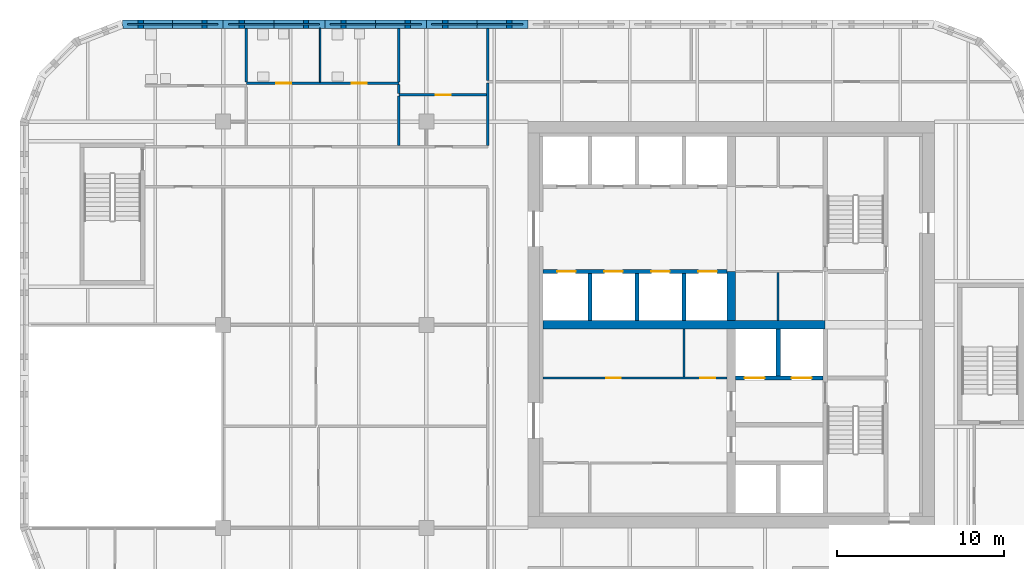
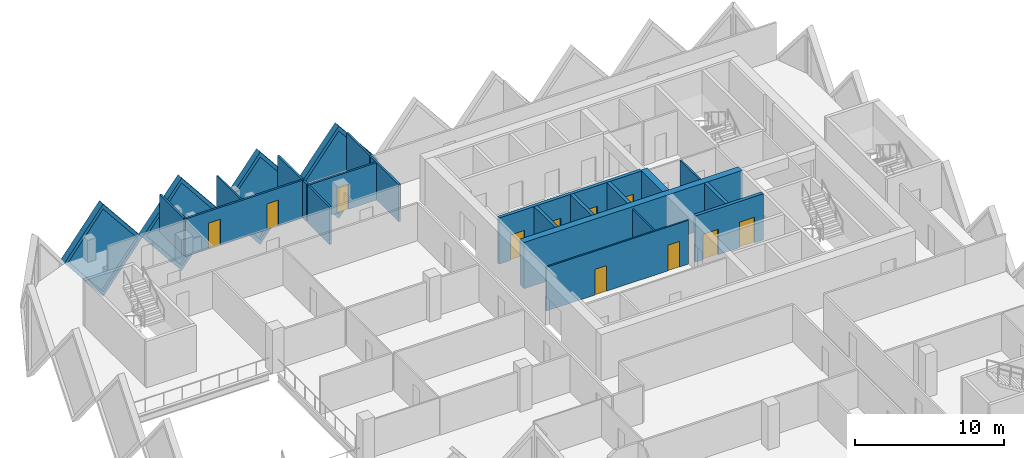
# One storey, part 8 of 13: 24 walls, 11 doors, 4 plates, 15 openings.
"""IFC4 building model written with IfcOpenShell, lengths in metres."""

from ifc_helpers import new_model, si_unit, direction, frame, frame_2d, origin, place, context, subcontext, project, spatial, polyline, rectangle, outline, extrude, faceted_brep, source, transform, mapped, material, layer, layer_set, type_object, element, fill, save


model = new_model("IFC4")

# Units and contexts
model_context = context("Model", 3, precision=1e-05, world=origin(), true_north=direction((0.0, 1.0)))
body_context = subcontext(model_context, "Body", "Model", "MODEL_VIEW")
ifc_project = project(units=[si_unit("LENGTHUNIT", "METRE"), si_unit("AREAUNIT", "SQUARE_METRE"), si_unit("VOLUMEUNIT", "CUBIC_METRE"), si_unit("PLANEANGLEUNIT", "RADIAN"), si_unit("MASSUNIT", "GRAM", prefix="KILO")], contexts=[model_context])

# Site, building, storey
site_placement = place(None, origin())
site = spatial("IfcSite", under=ifc_project, at=site_placement, CompositionType="ELEMENT")
building_placement = place(site_placement, origin())
building = spatial("IfcBuilding", under=site, at=building_placement, Name="Tessera Gate Towers", CompositionType="ELEMENT")
storey_placement = place(building_placement, frame((0.0, 0.0, 116.39990234375)))
storey = spatial("IfcBuildingStorey", under=building, at=storey_placement, Name="L28", CompositionType="ELEMENT", Elevation=116.39990234375)

# Wall, openings, doors
ifc_material_1 = material(Name="Concrete C40/50", Category="concrete")
ifc_layer_1 = layer(ifc_material_1, 0.25)
ifc_layer_set_1 = layer_set([ifc_layer_1], Name="CORE ENCLOSURE WALL 250")
wall_type_1 = type_object("IfcWallType", Name="CORE ENCLOSURE WALL 250", PredefinedType="SOLIDWALL", material=ifc_layer_set_1)
wall_1_placement = place(storey_placement, frame((31.39990234375, 39.800048828125, 0.0), z_axis=(0.0, 0.0, 1.0), x_axis=(1.0, 0.0, 0.0)))
wall_1 = element("IfcWall", 1, at=wall_1_placement, inside=storey, type_object=wall_type_1, Name="L28 shaft and stair enclosure wall", PredefinedType="SOLIDWALL", context=body_context, shape_type="SweptSolid", body=[
    extrude(rectangle(XDim=11.050048828125, YDim=0.25, at=frame_2d((5.52490234375, 0.0))), origin(), (0.0, 0.0, 1.0), 3.800048828125),
])
shared_shape_1 = source(origin(), body_context, "Body", "SweptSolid", [
    extrude(rectangle(XDim=1.10009765625, YDim=2.10009765625, at=frame_2d((0.550048828125, 1.050048828125))), frame((0.0, 0.135009765625, 0.0), z_axis=(0.0, -1.0, 0.0), x_axis=(1.0, 0.0, 0.0)), (0.0, 0.0, 1.0), 0.27001953125),
])
opening_1_placement = place(wall_1_placement, frame((0.862548828125, 0.0, 0.0)))
opening_1 = element("IfcOpeningElement", 2, at=opening_1_placement, cuts=wall_1, Name="Opening LD-HR1", PredefinedType="OPENING", context=body_context, shape_type="MappedRepresentation", body=[
    mapped(shared_shape_1, transform((0.0, 0.0, 0.0), scale=1.0)),
])
opening_2_placement = place(wall_1_placement, frame((3.6875, 0.0, 0.0)))
opening_2 = element("IfcOpeningElement", 3, at=opening_2_placement, cuts=wall_1, Name="Opening LD-HR2", PredefinedType="OPENING", context=body_context, shape_type="MappedRepresentation", body=[
    mapped(shared_shape_1, transform((0.0, 0.0, 0.0), scale=1.0)),
])
opening_3_placement = place(wall_1_placement, frame((6.512451171875, 0.0, 0.0)))
opening_3 = element("IfcOpeningElement", 4, at=opening_3_placement, cuts=wall_1, Name="Opening LD-HR3", PredefinedType="OPENING", context=body_context, shape_type="MappedRepresentation", body=[
    mapped(shared_shape_1, transform((0.0, 0.0, 0.0), scale=1.0)),
])
opening_4_placement = place(wall_1_placement, frame((9.33740234375, 0.0, 0.0)))
opening_4 = element("IfcOpeningElement", 5, at=opening_4_placement, cuts=wall_1, Name="Opening LD-HR4", PredefinedType="OPENING", context=body_context, shape_type="MappedRepresentation", body=[
    mapped(shared_shape_1, transform((0.0, 0.0, 0.0), scale=1.0)),
])
ifc_material_2 = material(Name="Stainless steel", Category="steel")
door_type_1 = type_object("IfcDoorType", Name="CORE DOOR LD 1100x2100", OperationType="DOUBLE_DOOR_SLIDING", PredefinedType="DOOR", material=ifc_material_2)
shared_shape_2 = source(origin(), body_context, "Body", "SweptSolid", [
    extrude(rectangle(XDim=1.10009765625, YDim=2.10009765625, at=frame_2d((0.550048828125, 1.050048828125))), frame((0.0, 0.02490234375, 0.0), z_axis=(0.0, -1.0, 0.0), x_axis=(1.0, 0.0, 0.0)), (0.0, 0.0, 1.0), 0.050048828125),
])
door_1_placement = place(opening_1_placement, origin())
door_1 = element("IfcDoor", 6, at=door_1_placement, inside=storey, type_object=door_type_1, Name="Landing door HR1 L28", OperationType="DOUBLE_DOOR_SLIDING", OverallHeight=2.10009765625, OverallWidth=1.10009765625, PredefinedType="DOOR", context=body_context, shape_type="MappedRepresentation", body=[
    mapped(shared_shape_2, transform((0.0, 0.0, 0.0), scale=1.0)),
])
fill(opening_1, door_1)
door_2_placement = place(opening_2_placement, origin())
door_2 = element("IfcDoor", 7, at=door_2_placement, inside=storey, type_object=door_type_1, Name="Landing door HR2 L28", OperationType="DOUBLE_DOOR_SLIDING", OverallHeight=2.10009765625, OverallWidth=1.10009765625, PredefinedType="DOOR", context=body_context, shape_type="MappedRepresentation", body=[
    mapped(shared_shape_2, transform((0.0, 0.0, 0.0), scale=1.0)),
])
fill(opening_2, door_2)
door_3_placement = place(opening_3_placement, origin())
door_3 = element("IfcDoor", 8, at=door_3_placement, inside=storey, type_object=door_type_1, Name="Landing door HR3 L28", OperationType="DOUBLE_DOOR_SLIDING", OverallHeight=2.10009765625, OverallWidth=1.10009765625, PredefinedType="DOOR", context=body_context, shape_type="MappedRepresentation", body=[
    mapped(shared_shape_2, transform((0.0, 0.0, 0.0), scale=1.0)),
])
fill(opening_3, door_3)
door_4_placement = place(opening_4_placement, origin())
door_4 = element("IfcDoor", 9, at=door_4_placement, inside=storey, type_object=door_type_1, Name="Landing door HR4 L28", OperationType="DOUBLE_DOOR_SLIDING", OverallHeight=2.10009765625, OverallWidth=1.10009765625, PredefinedType="DOOR", context=body_context, shape_type="MappedRepresentation", body=[
    mapped(shared_shape_2, transform((0.0, 0.0, 0.0), scale=1.0)),
])
fill(opening_4, door_4)

wall_2_placement = place(storey_placement, frame((48.22509765625, 33.39990234375, 0.0), z_axis=(0.0, 0.0, 1.0), x_axis=(-1.0, 0.0, 0.0)))
wall_2 = element("IfcWall", 10, at=wall_2_placement, inside=storey, type_object=wall_type_1, Name="L28 shaft and stair enclosure wall", PredefinedType="SOLIDWALL", context=body_context, shape_type="SweptSolid", body=[
    extrude(rectangle(XDim=5.275146484375, YDim=0.25, at=frame_2d((2.6376953125, 0.0))), origin(), (0.0, 0.0, 1.0), 3.800048828125),
])
shared_shape_3 = source(origin(), body_context, "Body", "SweptSolid", [
    extrude(rectangle(XDim=1.199951171875, YDim=2.10009765625, at=frame_2d((0.60009765625, 1.050048828125))), frame((0.0, 0.135009765625, 0.0), z_axis=(0.0, -1.0, 0.0), x_axis=(1.0, 0.0, 0.0)), (0.0, 0.0, 1.0), 0.27001953125),
])
opening_5_placement = place(wall_2_placement, frame((3.512451171875, 0.0, 0.0)))
opening_5 = element("IfcOpeningElement", 11, at=opening_5_placement, cuts=wall_2, Name="Opening LD-FF1", PredefinedType="OPENING", context=body_context, shape_type="MappedRepresentation", body=[
    mapped(shared_shape_3, transform((0.0, 0.0, 0.0), scale=1.0)),
])
opening_6_placement = place(wall_2_placement, frame((0.6875, 0.0, 0.0)))
opening_6 = element("IfcOpeningElement", 12, at=opening_6_placement, cuts=wall_2, Name="Opening LD-FF2", PredefinedType="OPENING", context=body_context, shape_type="MappedRepresentation", body=[
    mapped(shared_shape_3, transform((0.0, 0.0, 0.0), scale=1.0)),
])
ifc_material_3 = material(Name="Stainless steel", Category="steel")
door_type_2 = type_object("IfcDoorType", Name="CORE DOOR LD1200 1200x2100", OperationType="DOUBLE_DOOR_SLIDING", PredefinedType="DOOR", material=ifc_material_3)
shared_shape_4 = source(origin(), body_context, "Body", "SweptSolid", [
    extrude(rectangle(XDim=1.199951171875, YDim=2.10009765625, at=frame_2d((0.60009765625, 1.050048828125))), frame((0.0, 0.02490234375, 0.0), z_axis=(0.0, -1.0, 0.0), x_axis=(1.0, 0.0, 0.0)), (0.0, 0.0, 1.0), 0.050048828125),
])
door_5_placement = place(opening_5_placement, origin())
door_5 = element("IfcDoor", 13, at=door_5_placement, inside=storey, type_object=door_type_2, Name="Landing door FF1 L28", OperationType="DOUBLE_DOOR_SLIDING", OverallHeight=2.10009765625, OverallWidth=1.199951171875, PredefinedType="DOOR", context=body_context, shape_type="MappedRepresentation", body=[
    mapped(shared_shape_4, transform((0.0, 0.0, 0.0), scale=1.0)),
])
fill(opening_5, door_5)
door_6_placement = place(opening_6_placement, origin())
door_6 = element("IfcDoor", 14, at=door_6_placement, inside=storey, type_object=door_type_2, Name="Landing door FF2 L28", OperationType="DOUBLE_DOOR_SLIDING", OverallHeight=2.10009765625, OverallWidth=1.199951171875, PredefinedType="DOOR", context=body_context, shape_type="MappedRepresentation", body=[
    mapped(shared_shape_4, transform((0.0, 0.0, 0.0), scale=1.0)),
])
fill(opening_6, door_6)

# Walls
for number, where, z_axis, x_axis, name in (
    (15, (34.22509765625, 36.85009765625, 0.0), (0.0, 0.0, 1.0), (0.0, 1.0, 0.0), "L28 shaft and stair enclosure wall"),
    (16, (37.050048828125, 36.85009765625, 0.0), (0.0, 0.0, 1.0), (0.0, 1.0, 0.0), "L28 shaft and stair enclosure wall"),
    (17, (39.875, 36.85009765625, 0.0), (0.0, 0.0, 1.0), (0.0, 1.0, 0.0), "L28 shaft and stair enclosure wall"),
):
    element("IfcWall", number, at=place(storey_placement, frame(where, z_axis=z_axis, x_axis=x_axis)), inside=storey, type_object=wall_type_1, Name=name, PredefinedType="SOLIDWALL", context=body_context, shape_type="SweptSolid", body=[
        extrude(rectangle(XDim=2.824951171875, YDim=0.25, at=frame_2d((1.41259765625, 0.0))), origin(), (0.0, 0.0, 1.0), 3.800048828125),
    ])
wall_3_placement = place(storey_placement, frame((45.52490234375, 33.52490234375, 0.0), z_axis=(0.0, 0.0, 1.0), x_axis=(0.0, 1.0, 0.0)))
element("IfcWall", 18, at=wall_3_placement, inside=storey, type_object=wall_type_1, Name="L28 shaft and stair enclosure wall", PredefinedType="SOLIDWALL", context=body_context, shape_type="SweptSolid", body=[
    extrude(rectangle(XDim=2.8251953125, YDim=0.25, at=frame_2d((1.41259765625, 0.0))), origin(), (0.0, 0.0, 1.0), 3.800048828125),
])

# Wall, openings, doors
ifc_material_4 = material(Name="Gypsum board on steel studs", Category="steel")
ifc_layer_2 = layer(ifc_material_4, 0.1201171875)
ifc_layer_set_2 = layer_set([ifc_layer_2], Name="CORE PARTITION 120")
wall_type_2 = type_object("IfcWallType", Name="CORE PARTITION 120", PredefinedType="PARTITIONING", material=ifc_layer_set_2)
wall_4_placement = place(storey_placement, frame((31.39990234375, 33.39990234375, 0.0), z_axis=(0.0, 0.0, 1.0), x_axis=(1.0, 0.0, 0.0)))
wall_4 = element("IfcWall", 19, at=wall_4_placement, inside=storey, type_object=wall_type_2, Name="L28 core partition", PredefinedType="PARTITIONING", context=body_context, shape_type="SweptSolid", body=[
    extrude(rectangle(XDim=11.050048828125, YDim=0.1201171875, at=frame_2d((5.52490234375, 0.0))), origin(), (0.0, 0.0, 1.0), 3.60009765625),
])
shared_shape_5 = source(origin(), body_context, "Body", "SweptSolid", [
    extrude(rectangle(XDim=0.89990234375, YDim=2.10009765625, at=frame_2d((0.449951171875, 1.050048828125))), frame((0.0, 0.070068359375, 0.0), z_axis=(0.0, -1.0, 0.0), x_axis=(1.0, 0.0, 0.0)), (0.0, 0.0, 1.0), 0.14013671875),
])
opening_7_placement = place(wall_4_placement, frame((3.78759765625, 0.0, 0.0)))
opening_7 = element("IfcOpeningElement", 20, at=opening_7_placement, cuts=wall_4, Name="Opening RD-T1-20-07", PredefinedType="OPENING", context=body_context, shape_type="MappedRepresentation", body=[
    mapped(shared_shape_5, transform((0.0, 0.0, 0.0), scale=1.0)),
])
opening_8_placement = place(wall_4_placement, frame((9.4375, 0.0, 0.0)))
opening_8 = element("IfcOpeningElement", 21, at=opening_8_placement, cuts=wall_4, Name="Opening RD-T1-20-08", PredefinedType="OPENING", context=body_context, shape_type="MappedRepresentation", body=[
    mapped(shared_shape_5, transform((0.0, 0.0, 0.0), scale=1.0)),
])
ifc_material_5 = material(Name="Hollow steel fire door", Category="steel")
door_type_3 = type_object("IfcDoorType", Name="CORE DOOR RD 900x2100", OperationType="NOTDEFINED", PredefinedType="DOOR", material=ifc_material_5)
shared_shape_6 = source(origin(), body_context, "Body", "SweptSolid", [
    extrude(rectangle(XDim=0.89990234375, YDim=2.10009765625, at=frame_2d((0.449951171875, 1.050048828125))), frame((0.0, 0.02490234375, 0.0), z_axis=(0.0, -1.0, 0.0), x_axis=(1.0, 0.0, 0.0)), (0.0, 0.0, 1.0), 0.050048828125),
])
door_7_placement = place(opening_7_placement, origin())
door_7 = element("IfcDoor", 22, at=door_7_placement, inside=storey, type_object=door_type_3, Name="Core room door", OperationType="SINGLE_SWING_LEFT", OverallHeight=2.10009765625, OverallWidth=0.89990234375, PredefinedType="DOOR", context=body_context, shape_type="MappedRepresentation", body=[
    mapped(shared_shape_6, transform((0.0, 0.0, 0.0), scale=1.0)),
])
fill(opening_7, door_7)
door_8_placement = place(opening_8_placement, origin())
door_8 = element("IfcDoor", 23, at=door_8_placement, inside=storey, type_object=door_type_3, Name="Core room door", OperationType="SINGLE_SWING_RIGHT", OverallHeight=2.10009765625, OverallWidth=0.89990234375, PredefinedType="DOOR", context=body_context, shape_type="MappedRepresentation", body=[
    mapped(shared_shape_6, transform((0.0, 0.0, 0.0), scale=1.0)),
])
fill(opening_8, door_8)

# Walls
wall_5_placement = place(storey_placement, frame((45.52490234375, 36.85009765625, 0.0), z_axis=(0.0, 0.0, 1.0), x_axis=(0.0, 1.0, 0.0)))
element("IfcWall", 24, at=wall_5_placement, inside=storey, type_object=wall_type_2, Name="L28 core partition", PredefinedType="PARTITIONING", context=body_context, shape_type="SweptSolid", body=[
    extrude(rectangle(XDim=2.889892578125, YDim=0.1201171875, at=frame_2d((1.44482421875, 0.0))), origin(), (0.0, 0.0, 1.0), 3.60009765625),
])
wall_6_placement = place(storey_placement, frame((39.875, 33.4599609375, 0.0), z_axis=(0.0, 0.0, 1.0), x_axis=(0.0, 1.0, 0.0)))
element("IfcWall", 25, at=wall_6_placement, inside=storey, type_object=wall_type_2, Name="L28 core partition", PredefinedType="PARTITIONING", context=body_context, shape_type="SweptSolid", body=[
    extrude(rectangle(XDim=2.89013671875, YDim=0.1201171875, at=frame_2d((1.445068359375, 0.0))), origin(), (0.0, 0.0, 1.0), 3.60009765625),
])
ifc_material_6 = material(Name="Concrete C60/75", Category="concrete")
ifc_layer_3 = layer(ifc_material_6, 0.5)
ifc_layer_set_3 = layer_set([ifc_layer_3], Name="CORE SPINE WALL 500 C60/75")
wall_type_3 = type_object("IfcWallType", Name="CORE SPINE WALL 500 C60/75", PredefinedType="SHEAR", material=ifc_layer_set_3)
wall_7_placement = place(storey_placement, frame((31.39990234375, 36.60009765625, 0.0), z_axis=(0.0, 0.0, 1.0), x_axis=(1.0, 0.0, 0.0)))
element("IfcWall", 26, at=wall_7_placement, inside=storey, type_object=wall_type_3, Name="Core wall spine L28", PredefinedType="SHEAR", context=body_context, shape_type="SweptSolid", body=[
    extrude(rectangle(XDim=16.9501953125, YDim=0.5, at=frame_2d((8.47509765625, 0.0))), origin(), (0.0, 0.0, 1.0), 3.800048828125),
])
wall_8_placement = place(storey_placement, frame((42.699951171875, 36.85009765625, 0.0), z_axis=(0.0, 0.0, 1.0), x_axis=(0.0, 1.0, 0.0)))
element("IfcWall", 27, at=wall_8_placement, inside=storey, type_object=wall_type_3, Name="Core wall spine L28", PredefinedType="SHEAR", context=body_context, shape_type="SweptSolid", body=[
    extrude(rectangle(XDim=2.949951171875, YDim=0.5, at=frame_2d((1.47509765625, 0.0))), origin(), (0.0, 0.0, 1.0), 3.800048828125),
])
ifc_material_7 = material(Name="Gypsum board on steel studs, mineral wool", Category="steel")
ifc_layer_4 = layer(ifc_material_7, 0.14990234375)
ifc_layer_set_4 = layer_set([ifc_layer_4], Name="CORRIDOR WALL 150")
wall_type_4 = type_object("IfcWallType", Name="CORRIDOR WALL 150", PredefinedType="PARTITIONING", material=ifc_layer_set_4)
wall_9_placement = place(storey_placement, frame((28.10009765625, 47.3759765625, 0.0), z_axis=(0.0, 0.0, 1.0), x_axis=(0.0, 1.0, 0.0)))
element("IfcWall", 28, at=wall_9_placement, inside=storey, type_object=wall_type_4, Name="T1-L28-PW-045", PredefinedType="PARTITIONING", context=body_context, shape_type="SweptSolid", body=[
    extrude(rectangle(XDim=3.748046875, YDim=0.14990234375, at=frame_2d((1.8740234375, 0.0))), origin(), (0.0, 0.0, 1.0), 3.067138671875),
])
ifc_material_8 = material(Name="Gypsum board on steel studs", Category="steel")
ifc_layer_5 = layer(ifc_material_8, 0.10009765625)
ifc_layer_set_5 = layer_set([ifc_layer_5], Name="PARTITION 100")
wall_type_5 = type_object("IfcWallType", Name="PARTITION 100", PredefinedType="PARTITIONING", material=ifc_layer_set_5)
wall_10_placement = place(storey_placement, frame((18.02001953125, 51.176025390625, 0.0), z_axis=(0.0, 0.0, 1.0), x_axis=(0.0, 1.0, 0.0)))
element("IfcWall", 29, at=wall_10_placement, inside=storey, type_object=wall_type_5, Name="T1-L28-PW-053", PredefinedType="PARTITIONING", context=body_context, shape_type="SweptSolid", body=[
    extrude(rectangle(XDim=3.223876953125, YDim=0.10009765625, at=frame_2d((1.61181640625, 0.0))), origin(), (0.0, 0.0, 1.0), 3.067138671875),
])
ifc_material_9 = material(Name="Gypsum board on steel studs, mineral wool", Category="steel")
ifc_layer_6 = layer(ifc_material_9, 0.14990234375)
ifc_layer_set_6 = layer_set([ifc_layer_6], Name="TENANCY WALL 150")
wall_type_6 = type_object("IfcWallType", Name="TENANCY WALL 150", PredefinedType="PARTITIONING", material=ifc_layer_set_6)
wall_11_placement = place(storey_placement, frame((22.75, 47.3759765625, 0.0), z_axis=(0.0, 0.0, 1.0), x_axis=(0.0, 1.0, 0.0)))
element("IfcWall", 30, at=wall_11_placement, inside=storey, type_object=wall_type_6, Name="T1-L28-PW-044", PredefinedType="PARTITIONING", context=body_context, shape_type="SweptSolid", body=[
    extrude(rectangle(XDim=2.947998046875, YDim=0.14990234375, at=frame_2d((1.47412109375, 0.0))), origin(), (0.0, 0.0, 1.0), 3.067138671875),
])

# Wall, opening, door
wall_12_placement = place(storey_placement, frame((22.75, 50.39990234375, 0.0), z_axis=(0.0, 0.0, 1.0), x_axis=(1.0, 0.0, 0.0)))
wall_12 = element("IfcWall", 31, at=wall_12_placement, inside=storey, type_object=wall_type_6, Name="T1-L28-PW-048", PredefinedType="PARTITIONING", context=body_context, shape_type="SweptSolid", body=[
    extrude(rectangle(XDim=5.27392578125, YDim=0.14990234375, at=frame_2d((2.636962890625, 0.0))), origin(), (0.0, 0.0, 1.0), 3.067138671875),
])
shared_shape_7 = source(origin(), body_context, "Body", "SweptSolid", [
    extrude(rectangle(XDim=0.89990234375, YDim=2.10009765625, at=frame_2d((0.449951171875, 1.050048828125))), frame((0.0, 0.0849609375, 0.0), z_axis=(0.0, -1.0, 0.0), x_axis=(1.0, 0.0, 0.0)), (0.0, 0.0, 1.0), 0.169921875),
])
opening_9_placement = place(wall_12_placement, frame((2.199951171875, 0.0, 0.0)))
opening_9 = element("IfcOpeningElement", 32, at=opening_9_placement, cuts=wall_12, Name="Opening D190-A10-04", PredefinedType="OPENING", context=body_context, shape_type="MappedRepresentation", body=[
    mapped(shared_shape_7, transform((0.0, 0.0, 0.0), scale=1.0)),
])
ifc_material_10 = material(Name="Timber door leaf in steel frame", Category="steel")
door_type_4 = type_object("IfcDoorType", Name="INTERNAL DOOR 900 NOT RATED", OperationType="NOTDEFINED", PredefinedType="DOOR", material=ifc_material_10)
door_9_placement = place(opening_9_placement, origin())
door_9 = element("IfcDoor", 33, at=door_9_placement, inside=storey, type_object=door_type_4, Name="T1-L28-PD-006", OperationType="SINGLE_SWING_LEFT", OverallHeight=2.10009765625, OverallWidth=0.89990234375, PredefinedType="DOOR", context=body_context, shape_type="MappedRepresentation", body=[
    mapped(shared_shape_6, transform((0.0, 0.0, 0.0), scale=1.0)),
])
fill(opening_9, door_9)

# Wall
wall_13_placement = place(storey_placement, frame((22.75, 50.47607421875, 0.0), z_axis=(0.0, 0.0, 1.0), x_axis=(0.0, 1.0, 0.0)))
element("IfcWall", 34, at=wall_13_placement, inside=storey, type_object=wall_type_6, Name="T1-L28-PW-049", PredefinedType="PARTITIONING", context=body_context, shape_type="SweptSolid", body=[
    extrude(rectangle(XDim=0.5478515625, YDim=0.14990234375, at=frame_2d((0.27392578125, 0.0))), origin(), (0.0, 0.0, 1.0), 3.067138671875),
])

# Wall, openings, doors
wall_14_placement = place(storey_placement, frame((13.60009765625, 51.10009765625, 0.0), z_axis=(0.0, 0.0, 1.0), x_axis=(1.0, 0.0, 0.0)))
wall_14 = element("IfcWall", 35, at=wall_14_placement, inside=storey, type_object=wall_type_6, Name="T1-L28-PW-051", PredefinedType="PARTITIONING", context=body_context, shape_type="SweptSolid", body=[
    extrude(rectangle(XDim=9.14990234375, YDim=0.14990234375, at=frame_2d((4.574951171875, 0.0))), origin(), (0.0, 0.0, 1.0), 3.067138671875),
])
opening_10_placement = place(wall_14_placement, frame((1.800048828125, 0.0, 0.0)))
opening_10 = element("IfcOpeningElement", 36, at=opening_10_placement, cuts=wall_14, Name="Opening D190-A10-02", PredefinedType="OPENING", context=body_context, shape_type="MappedRepresentation", body=[
    mapped(shared_shape_7, transform((0.0, 0.0, 0.0), scale=1.0)),
])
opening_11_placement = place(wall_14_placement, frame((6.3203125, 0.0, 0.0)))
opening_11 = element("IfcOpeningElement", 37, at=opening_11_placement, cuts=wall_14, Name="Opening D190-A10-03", PredefinedType="OPENING", context=body_context, shape_type="MappedRepresentation", body=[
    mapped(shared_shape_7, transform((0.0, 0.0, 0.0), scale=1.0)),
])
door_10_placement = place(opening_10_placement, origin())
door_10 = element("IfcDoor", 38, at=door_10_placement, inside=storey, type_object=door_type_4, Name="T1-L28-PD-003", OperationType="SINGLE_SWING_LEFT", OverallHeight=2.10009765625, OverallWidth=0.89990234375, PredefinedType="DOOR", context=body_context, shape_type="MappedRepresentation", body=[
    mapped(shared_shape_6, transform((0.0, 0.0, 0.0), scale=1.0)),
])
fill(opening_10, door_10)
door_11_placement = place(opening_11_placement, origin())
door_11 = element("IfcDoor", 39, at=door_11_placement, inside=storey, type_object=door_type_4, Name="T1-L28-PD-005", OperationType="SINGLE_SWING_LEFT", OverallHeight=2.10009765625, OverallWidth=0.89990234375, PredefinedType="DOOR", context=body_context, shape_type="MappedRepresentation", body=[
    mapped(shared_shape_6, transform((0.0, 0.0, 0.0), scale=1.0)),
])
fill(opening_11, door_11)

# Walls
for number, where, z_axis, x_axis, name in (
    (40, (13.60009765625, 51.176025390625, 0.0), (0.0, 0.0, 1.0), (0.0, 1.0, 0.0), "T1-L28-PW-052"),
    (41, (22.75, 51.176025390625, 0.0), (0.0, 0.0, 1.0), (0.0, 1.0, 0.0), "T1-L28-PW-054"),
):
    element("IfcWall", number, at=place(storey_placement, frame(where, z_axis=z_axis, x_axis=x_axis)), inside=storey, type_object=wall_type_6, Name=name, PredefinedType="PARTITIONING", context=body_context, shape_type="SweptSolid", body=[
        extrude(rectangle(XDim=3.223876953125, YDim=0.14990234375, at=frame_2d((1.61181640625, 0.0))), origin(), (0.0, 0.0, 1.0), 3.067138671875),
    ])
wall_15_placement = place(storey_placement, frame((28.10009765625, 51.27587890625, 0.0), z_axis=(0.0, 0.0, 1.0), x_axis=(0.0, 1.0, 0.0)))
element("IfcWall", 42, at=wall_15_placement, inside=storey, type_object=wall_type_6, Name="T1-L28-PW-056", PredefinedType="PARTITIONING", context=body_context, shape_type="SweptSolid", body=[
    extrude(rectangle(XDim=3.1240234375, YDim=0.14990234375, at=frame_2d((1.56201171875, 0.0))), origin(), (0.0, 0.0, 1.0), 3.067138671875),
])

# Wall, opening, plate
ifc_material_11 = material(Name="Precast concrete C60/75 white", Category="concrete")
ifc_layer_7 = layer(ifc_material_11, 0.5)
ifc_layer_set_7 = layer_set([ifc_layer_7], Name="TS1 tessera")
wall_type_7 = type_object("IfcWallType", Name="TS1 tessera", PredefinedType="SOLIDWALL", material=ifc_layer_set_7)
shared_shape_8 = source(origin(), body_context, "Body", "Brep", [
    faceted_brep([(3.050048828125, -0.25, 0.0), (6.099853515625, -0.25, 3.799560546875), (6.099853515625, -0.25, 3.800048828125), (3.050048828125, -0.25, 7.599853515625), (0.0, -0.25, 3.7998046875), (0.0, 0.25, 3.7998046875), (3.050048828125, 0.25, 7.599853515625), (6.099853515625, 0.25, 3.800048828125), (6.099853515625, 0.25, 3.799560546875), (3.050048828125, 0.25, 0.0)], [[[0, 1, 2, 3, 4]], [[5, 6, 7, 8, 9]], [[9, 8, 1, 0]], [[7, 6, 3, 2]], [[6, 5, 4, 3]], [[5, 9, 0, 4]], [[1, 8, 7, 2]]]),
])
wall_16_placement = place(storey_placement, frame((24.39990234375, 54.64990234375, -3.7998046875), z_axis=(0.0, 0.0, 1.0), x_axis=(-1.0, 0.0, 0.0)))
wall_16 = element("IfcWall", 43, at=wall_16_placement, inside=storey, type_object=wall_type_7, Name="Precast tessera T1 TS1-0452", PredefinedType="SOLIDWALL", context=body_context, shape_type="MappedRepresentation", body=[
    mapped(shared_shape_8, transform((0.0, 0.0, 0.0), scale=1.0)),
])
shared_shape_9 = source(origin(), body_context, "Body", "SweptSolid", [
    extrude(outline(polyline([(3.050048828125, 0.3994140625), (5.779541015625, 3.7998046875), (3.050048828125, 7.200439453125), (0.320556640625, 3.7998046875), (3.050048828125, 0.3994140625)])), frame((0.0, 0.260009765625, 0.0), z_axis=(0.0, -1.0, 0.0), x_axis=(1.0, 0.0, 0.0)), (0.0, 0.0, 1.0), 0.52001953125),
])
opening_12_placement = place(wall_16_placement, origin())
opening_12 = element("IfcOpeningElement", 44, at=opening_12_placement, cuts=wall_16, Name="Opening T1-PL2-0916", PredefinedType="OPENING", context=body_context, shape_type="MappedRepresentation", body=[
    mapped(shared_shape_9, transform((0.0, 0.0, 0.0), scale=1.0)),
])
ifc_material_12 = material(Name="Low-e laminated glass", Category="glass")
ifc_layer_8 = layer(ifc_material_12, 0.06005859375)
ifc_layer_set_8 = layer_set([ifc_layer_8], Name="PL2 rhombic pane")
plate_type = type_object("IfcPlateType", Name="PL2 rhombic pane", PredefinedType="SHEET", material=ifc_layer_set_8)
shared_shape_10 = source(origin(), body_context, "Body", "SweptSolid", [
    extrude(outline(polyline([(3.050048828125, 0.3994140625), (5.779541015625, 3.7998046875), (3.050048828125, 7.200439453125), (0.320556640625, 3.7998046875), (3.050048828125, 0.3994140625)])), frame((0.0, 0.030029296875, 0.0), z_axis=(0.0, -1.0, 0.0), x_axis=(1.0, 0.0, 0.0)), (0.0, 0.0, 1.0), 0.06005859375),
])
plate_1_placement = place(opening_12_placement, origin())
plate_1 = element("IfcPlate", 45, at=plate_1_placement, inside=storey, type_object=plate_type, Name="Glass pane T1 PL2-0916", PredefinedType="SHEET", context=body_context, shape_type="MappedRepresentation", body=[
    mapped(shared_shape_10, transform((0.0, 0.0, 0.0), scale=1.0)),
])
fill(opening_12, plate_1)

shared_shape_11 = source(origin(), body_context, "Body", "SweptSolid", [
    extrude(outline(polyline([(3.050048828125, 0.0), (6.10009765625, 3.7998046875), (3.050048828125, 7.599853515625), (0.0, 3.7998046875), (3.050048828125, 0.0)])), frame((0.0, 0.25, 0.0), z_axis=(0.0, -1.0, 0.0), x_axis=(1.0, 0.0, 0.0)), (0.0, 0.0, 1.0), 0.5),
])
wall_17_placement = place(storey_placement, frame((30.5, 54.64990234375, -3.7998046875), z_axis=(0.0, 0.0, 1.0), x_axis=(-1.0, 0.0, 0.0)))
wall_17 = element("IfcWall", 46, at=wall_17_placement, inside=storey, type_object=wall_type_7, Name="Precast tessera T1 TS1-0451", PredefinedType="SOLIDWALL", context=body_context, shape_type="MappedRepresentation", body=[
    mapped(shared_shape_11, transform((0.0, 0.0, 0.0), scale=1.0)),
])
opening_13_placement = place(wall_17_placement, origin())
opening_13 = element("IfcOpeningElement", 47, at=opening_13_placement, cuts=wall_17, Name="Opening T1-PL2-0915", PredefinedType="OPENING", context=body_context, shape_type="MappedRepresentation", body=[
    mapped(shared_shape_9, transform((0.0, 0.0, 0.0), scale=1.0)),
])
plate_2_placement = place(opening_13_placement, origin())
plate_2 = element("IfcPlate", 48, at=plate_2_placement, inside=storey, type_object=plate_type, Name="Glass pane T1 PL2-0915", PredefinedType="SHEET", context=body_context, shape_type="MappedRepresentation", body=[
    mapped(shared_shape_10, transform((0.0, 0.0, 0.0), scale=1.0)),
])
fill(opening_13, plate_2)

wall_18_placement = place(storey_placement, frame((18.300048828125, 54.64990234375, -3.7998046875), z_axis=(0.0, 0.0, 1.0), x_axis=(-1.0, 0.0, 0.0)))
wall_18 = element("IfcWall", 49, at=wall_18_placement, inside=storey, type_object=wall_type_7, Name="Precast tessera T1 TS1-0453", PredefinedType="SOLIDWALL", context=body_context, shape_type="MappedRepresentation", body=[
    mapped(shared_shape_11, transform((0.0, 0.0, 0.0), scale=1.0)),
])
opening_14_placement = place(wall_18_placement, origin())
opening_14 = element("IfcOpeningElement", 50, at=opening_14_placement, cuts=wall_18, Name="Opening T1-PL2-0917", PredefinedType="OPENING", context=body_context, shape_type="MappedRepresentation", body=[
    mapped(shared_shape_9, transform((0.0, 0.0, 0.0), scale=1.0)),
])
plate_3_placement = place(opening_14_placement, origin())
plate_3 = element("IfcPlate", 51, at=plate_3_placement, inside=storey, type_object=plate_type, Name="Glass pane T1 PL2-0917", PredefinedType="SHEET", context=body_context, shape_type="MappedRepresentation", body=[
    mapped(shared_shape_10, transform((0.0, 0.0, 0.0), scale=1.0)),
])
fill(opening_14, plate_3)

shared_shape_12 = source(origin(), body_context, "Body", "Brep", [
    faceted_brep([(3.050048828125, -0.25, 0.0), (6.053466796875, -0.25, 3.7998046875), (3.050048828125, -0.25, 7.599853515625), (0.0, -0.25, 3.7998046875), (0.0, 0.25, 3.7998046875), (3.050048828125, 0.25, 7.599853515625), (6.0068359375, 0.25, 3.858642578125), (6.0068359375, 0.25, 3.740966796875), (3.050048828125, 0.25, 0.0), (6.053466796875, 0.0, 3.7998046875)], [[[0, 1, 2, 3]], [[4, 5, 6, 7, 8]], [[8, 7, 9, 1, 0]], [[6, 5, 2, 1, 9]], [[5, 4, 3, 2]], [[4, 8, 0, 3]], [[9, 7, 6]]]),
])
wall_19_placement = place(storey_placement, frame((12.199951171875, 54.64990234375, -3.7998046875), z_axis=(0.0, 0.0, 1.0), x_axis=(-1.0, 0.0, 0.0)))
wall_19 = element("IfcWall", 52, at=wall_19_placement, inside=storey, type_object=wall_type_7, Name="Precast tessera T1 TS1-0454", PredefinedType="SOLIDWALL", context=body_context, shape_type="MappedRepresentation", body=[
    mapped(shared_shape_12, transform((0.0, 0.0, 0.0), scale=1.0)),
])
shared_shape_13 = source(origin(), body_context, "Body", "SweptSolid", [
    extrude(outline(polyline([(3.048583984375, 0.401123046875), (5.73486328125, 3.7998046875), (3.048583984375, 7.19873046875), (0.320556640625, 3.7998046875), (3.048583984375, 0.401123046875)])), frame((0.0, 0.260009765625, 0.0), z_axis=(0.0, -1.0, 0.0), x_axis=(1.0, 0.0, 0.0)), (0.0, 0.0, 1.0), 0.52001953125),
])
opening_15_placement = place(wall_19_placement, origin())
opening_15 = element("IfcOpeningElement", 53, at=opening_15_placement, cuts=wall_19, Name="Opening T1-PL2-0918", PredefinedType="OPENING", context=body_context, shape_type="MappedRepresentation", body=[
    mapped(shared_shape_13, transform((0.0, 0.0, 0.0), scale=1.0)),
])
shared_shape_14 = source(origin(), body_context, "Body", "SweptSolid", [
    extrude(outline(polyline([(3.048583984375, 0.401123046875), (5.73486328125, 3.7998046875), (3.048583984375, 7.19873046875), (0.320556640625, 3.7998046875), (3.048583984375, 0.401123046875)])), frame((0.0, 0.030029296875, 0.0), z_axis=(0.0, -1.0, 0.0), x_axis=(1.0, 0.0, 0.0)), (0.0, 0.0, 1.0), 0.06005859375),
])
plate_4_placement = place(opening_15_placement, origin())
plate_4 = element("IfcPlate", 54, at=plate_4_placement, inside=storey, type_object=plate_type, Name="Glass pane T1 PL2-0918", PredefinedType="SHEET", context=body_context, shape_type="MappedRepresentation", body=[
    mapped(shared_shape_14, transform((0.0, 0.0, 0.0), scale=1.0)),
])
fill(opening_15, plate_4)

save(model, "model.ifc")
